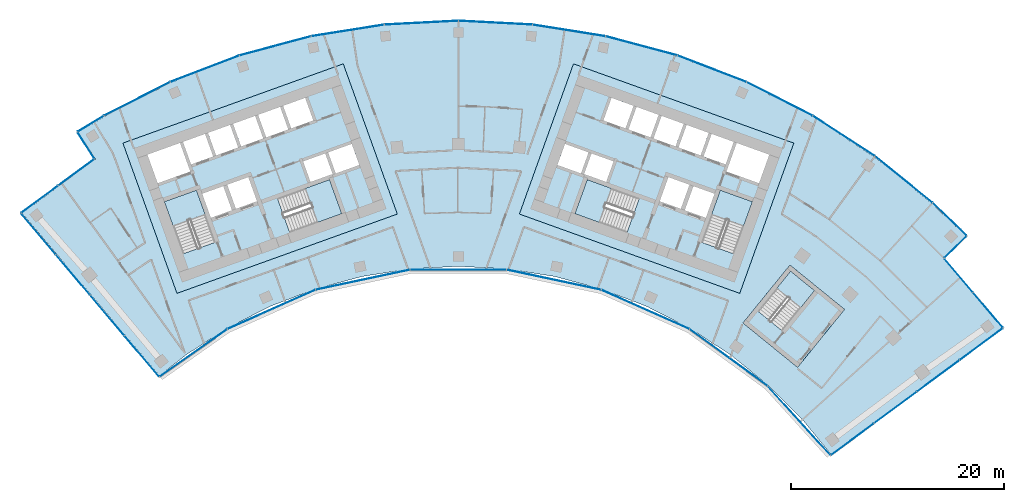
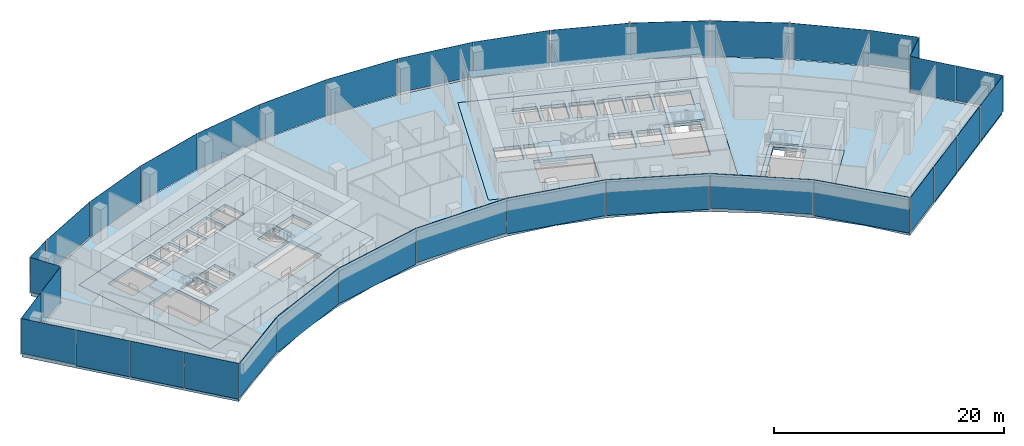
# One storey, part 9 of 16: 36 plates, 9 slabs, 13 elements without a shape of their own.
"""IFC4 building model written with IfcOpenShell, lengths in metres."""

from ifc_helpers import new_model, si_unit, direction, frame, origin, origin_2d, place, context, subcontext, project, spatial, polyline, rectangle, outline, extrude, material, layer, layer_set, type_object, element, aggregate, save


model = new_model("IFC4")

# Units and contexts
model_context = context("Model", 3, precision=1e-05, world=origin(), true_north=direction((0.0, 1.0)))
body_context = subcontext(model_context, "Body", "Model", "MODEL_VIEW")
ifc_project = project(units=[si_unit("LENGTHUNIT", "METRE"), si_unit("AREAUNIT", "SQUARE_METRE"), si_unit("VOLUMEUNIT", "CUBIC_METRE"), si_unit("PLANEANGLEUNIT", "RADIAN"), si_unit("MASSUNIT", "GRAM", prefix="KILO")], contexts=[model_context])

# Site, building, storey
site_placement = place(None, origin())
site = spatial("IfcSite", under=ifc_project, at=site_placement, CompositionType="ELEMENT")
building_placement = place(site_placement, origin())
building = spatial("IfcBuilding", under=site, at=building_placement, Name="Stone Belt Terrace Tower", CompositionType="ELEMENT")
storey_placement = place(building_placement, frame((0.0, 0.0, 242.800048828125)))
storey = spatial("IfcBuildingStorey", under=building, at=storey_placement, Name="L59", CompositionType="ELEMENT", Elevation=242.800048828125)

# Curtain wall, plates
ifc_material_1 = material(Name="Aluminium 6063-T6 anodised frame", Category="aluminium")
ifc_layer_1 = layer(ifc_material_1, 0.14990234375)
ifc_layer_set_1 = layer_set([ifc_layer_1], Name="CW-A unitised convex-face curtain wall")
curtain_wall_type_1 = type_object("IfcCurtainWallType", Name="CW-A unitised convex-face curtain wall", PredefinedType="NOTDEFINED", material=ifc_layer_set_1)
curtain_wall_1_placement = place(storey_placement, origin())
curtain_wall_1 = element("IfcCurtainWall", 1, at=curtain_wall_1_placement, inside=storey, type_object=curtain_wall_type_1, Name="CW-A convex face L59", PredefinedType="NOTDEFINED")
ifc_material_2 = material(Name="Clear double glazed unit")
ifc_layer_2 = layer(ifc_material_2, 0.031982421875)
ifc_layer_set_2 = layer_set([ifc_layer_2], Name="CW-A glass panel 32")
plate_type_1 = type_object("IfcPlateType", Name="CW-A glass panel 32", PredefinedType="CURTAIN_PANEL", material=ifc_layer_set_2)
plate_1_placement = place(storey_placement, frame((46.14599609375, 47.936767578125, 0.14013671875), z_axis=(0.0, 0.0, 1.0), x_axis=(-0.720604393579, 0.693346455933, 0.0)))
plate_1 = element("IfcPlate", 2, at=plate_1_placement, type_object=plate_type_1, Name="CW-A panel 1.1", PredefinedType="CURTAIN_PANEL", context=body_context, shape_type="SweptSolid", body=[
    extrude(rectangle(XDim=4.372314453125, YDim=0.031982421875, at=origin_2d()), origin(), (0.0, 0.0, 1.0), 3.659912109375),
])
plate_2_placement = place(storey_placement, frame((41.839599609375, 51.667724609375, 0.0), z_axis=(0.0, 0.0, 1.0), x_axis=(-0.777145961457, 0.62932039105, 0.0)))
plate_2 = element("IfcPlate", 3, at=plate_2_placement, type_object=plate_type_1, Name="CW-A panel 2.1", PredefinedType="CURTAIN_PANEL", context=body_context, shape_type="SweptSolid", body=[
    extrude(rectangle(XDim=6.90087890625, YDim=0.031982421875, at=origin_2d()), origin(), (0.0, 0.0, 1.0), 3.800048828125),
])
plate_3_placement = place(storey_placement, frame((36.209716796875, 55.758056640625, 0.0), z_axis=(0.0, 0.0, 1.0), x_axis=(-0.838670567945, 0.544639035015, 0.0)))
plate_3 = element("IfcPlate", 4, at=plate_3_placement, type_object=plate_type_1, Name="CW-A panel 3.1", PredefinedType="CURTAIN_PANEL", context=body_context, shape_type="SweptSolid", body=[
    extrude(rectangle(XDim=6.90087890625, YDim=0.031982421875, at=origin_2d()), origin(), (0.0, 0.0, 1.0), 3.800048828125),
])
plate_4_placement = place(storey_placement, frame((30.18310546875, 59.237548828125, 0.0), z_axis=(0.0, 0.0, 1.0), x_axis=(-0.891006524188, 0.45399049974, 0.0)))
plate_4 = element("IfcPlate", 5, at=plate_4_placement, type_object=plate_type_1, Name="CW-A panel 4.1", PredefinedType="CURTAIN_PANEL", context=body_context, shape_type="SweptSolid", body=[
    extrude(rectangle(XDim=6.90087890625, YDim=0.031982421875, at=origin_2d()), origin(), (0.0, 0.0, 1.0), 3.800048828125),
])
plate_5_placement = place(storey_placement, frame((23.82568359375, 62.068115234375, 0.0), z_axis=(0.0, 0.0, 1.0), x_axis=(-0.933580426497, 0.358367949545, 0.0)))
plate_5 = element("IfcPlate", 6, at=plate_5_placement, type_object=plate_type_1, Name="CW-A panel 5.1", PredefinedType="CURTAIN_PANEL", context=body_context, shape_type="SweptSolid", body=[
    extrude(rectangle(XDim=6.90087890625, YDim=0.031982421875, at=origin_2d()), origin(), (0.0, 0.0, 1.0), 3.800048828125),
])
plate_6_placement = place(storey_placement, frame((17.207275390625, 64.218505859375, 0.0), z_axis=(0.0, 0.0, 1.0), x_axis=(-0.965925826289, 0.258819045103, 0.0)))
plate_6 = element("IfcPlate", 7, at=plate_6_placement, type_object=plate_type_1, Name="CW-A panel 6.1", PredefinedType="CURTAIN_PANEL", context=body_context, shape_type="SweptSolid", body=[
    extrude(rectangle(XDim=6.90087890625, YDim=0.031982421875, at=origin_2d()), origin(), (0.0, 0.0, 1.0), 3.800048828125),
])
plate_7_placement = place(storey_placement, frame((10.400390625, 65.665283203125, 0.14013671875), z_axis=(0.0, 0.0, 1.0), x_axis=(-0.987688340595, 0.15643446504, 0.0)))
plate_7 = element("IfcPlate", 8, at=plate_7_placement, type_object=plate_type_1, Name="CW-A panel 7.1", PredefinedType="CURTAIN_PANEL", context=body_context, shape_type="SweptSolid", body=[
    extrude(rectangle(XDim=6.90087890625, YDim=0.031982421875, at=origin_2d()), origin(), (0.0, 0.0, 1.0), 3.659912109375),
])
plate_8_placement = place(storey_placement, frame((3.4794921875, 66.392822265625, 0.0), z_axis=(0.0, 0.0, 1.0), x_axis=(-0.998629534755, 0.052335956243, 0.0)))
plate_8 = element("IfcPlate", 9, at=plate_8_placement, type_object=plate_type_1, Name="CW-A panel 8.1", PredefinedType="CURTAIN_PANEL", context=body_context, shape_type="SweptSolid", body=[
    extrude(rectangle(XDim=6.90087890625, YDim=0.031982421875, at=origin_2d()), origin(), (0.0, 0.0, 1.0), 3.800048828125),
])
plate_9_placement = place(storey_placement, frame((-3.4794921875, 66.392822265625, 0.0), z_axis=(0.0, 0.0, 1.0), x_axis=(-0.998629534755, -0.052335956243, 0.0)))
plate_9 = element("IfcPlate", 10, at=plate_9_placement, type_object=plate_type_1, Name="CW-A panel 9.1", PredefinedType="CURTAIN_PANEL", context=body_context, shape_type="SweptSolid", body=[
    extrude(rectangle(XDim=6.90087890625, YDim=0.031982421875, at=origin_2d()), origin(), (0.0, 0.0, 1.0), 3.800048828125),
])
plate_10_placement = place(storey_placement, frame((-10.400390625, 65.665283203125, 0.0), z_axis=(0.0, 0.0, 1.0), x_axis=(-0.987688340595, -0.15643446504, 0.0)))
plate_10 = element("IfcPlate", 11, at=plate_10_placement, type_object=plate_type_1, Name="CW-A panel 10.1", PredefinedType="CURTAIN_PANEL", context=body_context, shape_type="SweptSolid", body=[
    extrude(rectangle(XDim=6.90087890625, YDim=0.031982421875, at=origin_2d()), origin(), (0.0, 0.0, 1.0), 3.800048828125),
])
plate_11_placement = place(storey_placement, frame((-17.207275390625, 64.218505859375, 0.0), z_axis=(0.0, 0.0, 1.0), x_axis=(-0.965925826289, -0.258819045103, 0.0)))
plate_11 = element("IfcPlate", 12, at=plate_11_placement, type_object=plate_type_1, Name="CW-A panel 11.1", PredefinedType="CURTAIN_PANEL", context=body_context, shape_type="SweptSolid", body=[
    extrude(rectangle(XDim=6.90087890625, YDim=0.031982421875, at=origin_2d()), origin(), (0.0, 0.0, 1.0), 3.800048828125),
])
plate_12_placement = place(storey_placement, frame((-23.82568359375, 62.068115234375, 0.0), z_axis=(0.0, 0.0, 1.0), x_axis=(-0.933580426497, -0.358367949545, 0.0)))
plate_12 = element("IfcPlate", 13, at=plate_12_placement, type_object=plate_type_1, Name="CW-A panel 12.1", PredefinedType="CURTAIN_PANEL", context=body_context, shape_type="SweptSolid", body=[
    extrude(rectangle(XDim=6.90087890625, YDim=0.031982421875, at=origin_2d()), origin(), (0.0, 0.0, 1.0), 3.800048828125),
])
plate_13_placement = place(storey_placement, frame((-30.18310546875, 59.237548828125, 0.14013671875), z_axis=(0.0, 0.0, 1.0), x_axis=(-0.891006524188, -0.45399049974, 0.0)))
plate_13 = element("IfcPlate", 14, at=plate_13_placement, type_object=plate_type_1, Name="CW-A panel 13.1", PredefinedType="CURTAIN_PANEL", context=body_context, shape_type="SweptSolid", body=[
    extrude(rectangle(XDim=6.900634765625, YDim=0.031982421875, at=origin_2d()), origin(), (0.0, 0.0, 1.0), 3.659912109375),
])
plate_14_placement = place(storey_placement, frame((-34.521728515625, 56.907470703125, 0.0), z_axis=(0.0, 0.0, 1.0), x_axis=(-0.855106913292, -0.51845170155, 0.0)))
plate_14 = element("IfcPlate", 15, at=plate_14_placement, type_object=plate_type_1, Name="CW-A panel 14.1", PredefinedType="CURTAIN_PANEL", context=body_context, shape_type="SweptSolid", body=[
    extrude(rectangle(XDim=2.823486328125, YDim=0.031982421875, at=origin_2d()), origin(), (0.0, 0.0, 1.0), 3.800048828125),
])
aggregate(curtain_wall_1, [plate_1, plate_2, plate_3, plate_4, plate_5, plate_6, plate_7, plate_8, plate_9, plate_10, plate_11, plate_12, plate_13, plate_14])

ifc_layer_3 = layer(ifc_material_1, 0.14990234375)
ifc_layer_set_3 = layer_set([ifc_layer_3], Name="CW-B unitised concave-face curtain wall")
curtain_wall_type_2 = type_object("IfcCurtainWallType", Name="CW-B unitised concave-face curtain wall", PredefinedType="NOTDEFINED", material=ifc_layer_set_3)
curtain_wall_2_placement = place(storey_placement, origin())
curtain_wall_2 = element("IfcCurtainWall", 16, at=curtain_wall_2_placement, inside=storey, type_object=curtain_wall_type_2, Name="CW-B concave face L59", PredefinedType="NOTDEFINED")
ifc_layer_4 = layer(ifc_material_2, 0.030029296875)
ifc_layer_set_4 = layer_set([ifc_layer_4], Name="CW-B glass panel 30")
plate_type_2 = type_object("IfcPlateType", Name="CW-B glass panel 30", PredefinedType="CURTAIN_PANEL", material=ifc_layer_set_4)
plate_15_placement = place(storey_placement, frame((-24.8896484375, 35.373291015625, 0.1201171875), z_axis=(0.0, 0.0, 1.0), x_axis=(0.818093414014, 0.575085355357, 0.0)))
plate_15 = element("IfcPlate", 17, at=plate_15_placement, type_object=plate_type_2, Name="CW-B panel 1.1", PredefinedType="CURTAIN_PANEL", context=body_context, shape_type="SweptSolid", body=[
    extrude(rectangle(XDim=7.702392578125, YDim=0.030029296875, at=origin_2d()), origin(), (0.0, 0.0, 1.0), 3.679931640625),
])
plate_16_placement = place(storey_placement, frame((-17.566162109375, 39.452880859375, 0.0), z_axis=(0.0, 0.0, 1.0), x_axis=(0.913545457643, 0.406736643076, 0.0)))
plate_16 = element("IfcPlate", 18, at=plate_16_placement, type_object=plate_type_2, Name="CW-B panel 2.1", PredefinedType="CURTAIN_PANEL", context=body_context, shape_type="SweptSolid", body=[
    extrude(rectangle(XDim=9.013916015625, YDim=0.030029296875, at=origin_2d()), origin(), (0.0, 0.0, 1.0), 3.800048828125),
])
plate_17_placement = place(storey_placement, frame((-8.97900390625, 42.242919921875, 0.0), z_axis=(0.0, 0.0, 1.0), x_axis=(0.978147600734, 0.207911690818, 0.0)))
plate_17 = element("IfcPlate", 19, at=plate_17_placement, type_object=plate_type_2, Name="CW-B panel 3.1", PredefinedType="CURTAIN_PANEL", context=body_context, shape_type="SweptSolid", body=[
    extrude(rectangle(XDim=9.0126953125, YDim=0.030029296875, at=origin_2d()), origin(), (0.0, 0.0, 1.0), 3.800048828125),
])
plate_18_placement = place(storey_placement, frame((0.0, 43.186767578125, 0.1201171875), z_axis=(0.0, 0.0, 1.0), x_axis=(1.0, 0.0, 0.0)))
plate_18 = element("IfcPlate", 20, at=plate_18_placement, type_object=plate_type_2, Name="CW-B panel 4.1", PredefinedType="CURTAIN_PANEL", context=body_context, shape_type="SweptSolid", body=[
    extrude(rectangle(XDim=9.0126953125, YDim=0.030029296875, at=origin_2d()), origin(), (0.0, 0.0, 1.0), 3.679931640625),
])
plate_19_placement = place(storey_placement, frame((8.97900390625, 42.242919921875, 0.0), z_axis=(0.0, 0.0, 1.0), x_axis=(0.978147600734, -0.207911690818, 0.0)))
plate_19 = element("IfcPlate", 21, at=plate_19_placement, type_object=plate_type_2, Name="CW-B panel 5.1", PredefinedType="CURTAIN_PANEL", context=body_context, shape_type="SweptSolid", body=[
    extrude(rectangle(XDim=9.0126953125, YDim=0.030029296875, at=origin_2d()), origin(), (0.0, 0.0, 1.0), 3.800048828125),
])
plate_20_placement = place(storey_placement, frame((17.565673828125, 39.453125, 0.0), z_axis=(0.0, 0.0, 1.0), x_axis=(0.913545457643, -0.406736643076, 0.0)))
plate_20 = element("IfcPlate", 22, at=plate_20_placement, type_object=plate_type_2, Name="CW-B panel 6.1", PredefinedType="CURTAIN_PANEL", context=body_context, shape_type="SweptSolid", body=[
    extrude(rectangle(XDim=9.0126953125, YDim=0.030029296875, at=origin_2d()), origin(), (0.0, 0.0, 1.0), 3.800048828125),
])
plate_21_placement = place(storey_placement, frame((25.384521484375, 34.938720703125, 0.1201171875), z_axis=(0.0, 0.0, 1.0), x_axis=(0.809016994375, -0.587785252292, 0.0)))
plate_21 = element("IfcPlate", 23, at=plate_21_placement, type_object=plate_type_2, Name="CW-B panel 7.1", PredefinedType="CURTAIN_PANEL", context=body_context, shape_type="SweptSolid", body=[
    extrude(rectangle(XDim=9.01318359375, YDim=0.030029296875, at=origin_2d()), origin(), (0.0, 0.0, 1.0), 3.679931640625),
])
plate_22_placement = place(storey_placement, frame((32.00537109375, 29.02197265625, 0.0), z_axis=(0.0, 0.0, 1.0), x_axis=(0.672072775041, -0.740485101166, 0.0)))
plate_22 = element("IfcPlate", 24, at=plate_22_placement, type_object=plate_type_2, Name="CW-B panel 8.1", PredefinedType="CURTAIN_PANEL", context=body_context, shape_type="SweptSolid", body=[
    extrude(rectangle(XDim=8.70947265625, YDim=0.030029296875, at=origin_2d()), origin(), (0.0, 0.0, 1.0), 3.800048828125),
])
aggregate(curtain_wall_2, [plate_15, plate_16, plate_17, plate_18, plate_19, plate_20, plate_21, plate_22])

ifc_layer_5 = layer(ifc_material_1, 0.14990234375)
ifc_layer_set_5 = layer_set([ifc_layer_5], Name="CW-C stick curtain wall, horn ends and notches")
curtain_wall_type_3 = type_object("IfcCurtainWallType", Name="CW-C stick curtain wall, horn ends and notches", PredefinedType="NOTDEFINED", material=ifc_layer_set_5)
curtain_wall_3_placement = place(storey_placement, origin())
curtain_wall_3 = element("IfcCurtainWall", 25, at=curtain_wall_3_placement, inside=storey, type_object=curtain_wall_type_3, Name="CW-C end face L59", PredefinedType="NOTDEFINED")
ifc_layer_6 = layer(ifc_material_2, 0.028076171875)
ifc_layer_set_6 = layer_set([ifc_layer_6], Name="CW-C glass panel 28")
plate_type_3 = type_object("IfcPlateType", Name="CW-C glass panel 28", PredefinedType="CURTAIN_PANEL", material=ifc_layer_set_6)
plate_23_placement = place(storey_placement, frame((37.033447265625, 27.2646484375, 0.1201171875), z_axis=(0.0, 0.0, 1.0), x_axis=(0.804329077539, 0.594184091865, 0.0)))
plate_23 = element("IfcPlate", 26, at=plate_23_placement, type_object=plate_type_3, Name="CW-C panel 1.1", PredefinedType="CURTAIN_PANEL", context=body_context, shape_type="SweptSolid", body=[
    extrude(rectangle(XDim=4.96533203125, YDim=0.028076171875, at=origin_2d()), origin(), (0.0, 0.0, 1.0), 3.679931640625),
])
plate_24_placement = place(storey_placement, frame((41.0654296875, 30.2431640625, 0.0), z_axis=(0.0, 0.0, 1.0), x_axis=(0.804329077539, 0.594184091865, 0.0)))
plate_24 = element("IfcPlate", 27, at=plate_24_placement, type_object=plate_type_3, Name="CW-C panel 2.1", PredefinedType="CURTAIN_PANEL", context=body_context, shape_type="SweptSolid", body=[
    extrude(rectangle(XDim=4.93994140625, YDim=0.028076171875, at=origin_2d()), origin(), (0.0, 0.0, 1.0), 3.800048828125),
])
plate_25_placement = place(storey_placement, frame((45.0869140625, 33.2138671875, 0.0), z_axis=(0.0, 0.0, 1.0), x_axis=(0.804329077539, 0.594184091865, 0.0)))
plate_25 = element("IfcPlate", 28, at=plate_25_placement, type_object=plate_type_3, Name="CW-C panel 3.1", PredefinedType="CURTAIN_PANEL", context=body_context, shape_type="SweptSolid", body=[
    extrude(rectangle(XDim=4.93994140625, YDim=0.028076171875, at=origin_2d()), origin(), (0.0, 0.0, 1.0), 3.800048828125),
])
plate_26_placement = place(storey_placement, frame((49.122802734375, 36.1953125, 0.0), z_axis=(0.0, 0.0, 1.0), x_axis=(0.804329077539, 0.594184091865, 0.0)))
plate_26 = element("IfcPlate", 29, at=plate_26_placement, type_object=plate_type_3, Name="CW-C panel 4.1", PredefinedType="CURTAIN_PANEL", context=body_context, shape_type="SweptSolid", body=[
    extrude(rectangle(XDim=4.974853515625, YDim=0.028076171875, at=origin_2d()), origin(), (0.0, 0.0, 1.0), 3.800048828125),
])
aggregate(curtain_wall_3, [plate_23, plate_24, plate_25, plate_26])

curtain_wall_4_placement = place(storey_placement, origin())
curtain_wall_4 = element("IfcCurtainWall", 30, at=curtain_wall_4_placement, inside=storey, type_object=curtain_wall_type_3, Name="CW-C notch face L59", PredefinedType="NOTDEFINED")
plate_27_placement = place(storey_placement, frame((49.75390625, 39.402587890625, 0.1201171875), z_axis=(0.0, 0.0, 1.0), x_axis=(-0.647210945735, 0.762310954743, 0.0)))
plate_27 = element("IfcPlate", 31, at=plate_27_placement, type_object=plate_type_3, Name="CW-C panel 1.1", PredefinedType="CURTAIN_PANEL", context=body_context, shape_type="SweptSolid", body=[
    extrude(rectangle(XDim=4.268798828125, YDim=0.028076171875, at=origin_2d()), origin(), (0.0, 0.0, 1.0), 3.679931640625),
])
plate_28_placement = place(storey_placement, frame((47.000244140625, 42.645751953125, 0.0), z_axis=(0.0, 0.0, 1.0), x_axis=(-0.647210945735, 0.762310954743, 0.0)))
plate_28 = element("IfcPlate", 32, at=plate_28_placement, type_object=plate_type_3, Name="CW-C panel 2.1", PredefinedType="CURTAIN_PANEL", context=body_context, shape_type="SweptSolid", body=[
    extrude(rectangle(XDim=4.12060546875, YDim=0.028076171875, at=origin_2d()), origin(), (0.0, 0.0, 1.0), 3.800048828125),
])
aggregate(curtain_wall_4, [plate_27, plate_28])

# Curtain wall, plate
curtain_wall_5_placement = place(storey_placement, origin())
curtain_wall_5 = element("IfcCurtainWall", 33, at=curtain_wall_5_placement, inside=storey, type_object=curtain_wall_type_3, Name="CW-C notch face L59", PredefinedType="NOTDEFINED")
plate_29_placement = place(storey_placement, frame((46.69677734375, 45.320068359375, 0.1201171875), z_axis=(0.0, 0.0, 1.0), x_axis=(0.71680345276, 0.697275275707, 0.0)))
plate_29 = element("IfcPlate", 34, at=plate_29_placement, type_object=plate_type_3, Name="CW-C panel 1.1", PredefinedType="CURTAIN_PANEL", context=body_context, shape_type="SweptSolid", body=[
    extrude(rectangle(XDim=2.859619140625, YDim=0.028076171875, at=origin_2d()), origin(), (0.0, 0.0, 1.0), 3.679931640625),
])
aggregate(curtain_wall_5, [plate_29])

curtain_wall_6_placement = place(storey_placement, origin())
curtain_wall_6 = element("IfcCurtainWall", 35, at=curtain_wall_6_placement, inside=storey, type_object=curtain_wall_type_3, Name="CW-C notch face L59", PredefinedType="NOTDEFINED")
plate_30_placement = place(storey_placement, frame((-34.985595703125, 54.86767578125, 0.1201171875), z_axis=(0.0, 0.0, 1.0), x_axis=(0.536665081869, -0.843795348353, 0.0)))
plate_30 = element("IfcPlate", 36, at=plate_30_placement, type_object=plate_type_3, Name="CW-C panel 1.1", PredefinedType="CURTAIN_PANEL", context=body_context, shape_type="SweptSolid", body=[
    extrude(rectangle(XDim=2.85888671875, YDim=0.028076171875, at=origin_2d()), origin(), (0.0, 0.0, 1.0), 3.679931640625),
])
aggregate(curtain_wall_6, [plate_30])

# Curtain wall, plates
curtain_wall_7_placement = place(storey_placement, origin())
curtain_wall_7 = element("IfcCurtainWall", 37, at=curtain_wall_7_placement, inside=storey, type_object=curtain_wall_type_3, Name="CW-C notch face L59", PredefinedType="NOTDEFINED")
plate_31_placement = place(storey_placement, frame((-35.897705078125, 52.3359375, 0.1201171875), z_axis=(0.0, 0.0, 1.0), x_axis=(-0.805576193691, -0.592492190799, 0.0)))
plate_31 = element("IfcPlate", 38, at=plate_31_placement, type_object=plate_type_3, Name="CW-C panel 1.1", PredefinedType="CURTAIN_PANEL", context=body_context, shape_type="SweptSolid", body=[
    extrude(rectangle(XDim=4.12060546875, YDim=0.028076171875, at=origin_2d()), origin(), (0.0, 0.0, 1.0), 3.679931640625),
])
plate_32_placement = place(storey_placement, frame((-39.3251953125, 49.815185546875, 0.0), z_axis=(0.0, 0.0, 1.0), x_axis=(-0.805576193691, -0.592492190799, 0.0)))
plate_32 = element("IfcPlate", 39, at=plate_32_placement, type_object=plate_type_3, Name="CW-C panel 2.1", PredefinedType="CURTAIN_PANEL", context=body_context, shape_type="SweptSolid", body=[
    extrude(rectangle(XDim=4.268798828125, YDim=0.028076171875, at=origin_2d()), origin(), (0.0, 0.0, 1.0), 3.800048828125),
])
aggregate(curtain_wall_7, [plate_31, plate_32])

curtain_wall_8_placement = place(storey_placement, origin())
curtain_wall_8 = element("IfcCurtainWall", 40, at=curtain_wall_8_placement, inside=storey, type_object=curtain_wall_type_3, Name="CW-C end face L59", PredefinedType="NOTDEFINED")
plate_33_placement = place(storey_placement, frame((-39.45068359375, 46.548828125, 0.1201171875), z_axis=(0.0, 0.0, 1.0), x_axis=(0.645607243812, -0.763669618839, 0.0)))
plate_33 = element("IfcPlate", 41, at=plate_33_placement, type_object=plate_type_3, Name="CW-C panel 1.1", PredefinedType="CURTAIN_PANEL", context=body_context, shape_type="SweptSolid", body=[
    extrude(rectangle(XDim=4.974853515625, YDim=0.028076171875, at=origin_2d()), origin(), (0.0, 0.0, 1.0), 3.679931640625),
])
plate_34_placement = place(storey_placement, frame((-36.211181640625, 42.717041015625, 0.0), z_axis=(0.0, 0.0, 1.0), x_axis=(0.645607243812, -0.763669618839, 0.0)))
plate_34 = element("IfcPlate", 42, at=plate_34_placement, type_object=plate_type_3, Name="CW-C panel 2.1", PredefinedType="CURTAIN_PANEL", context=body_context, shape_type="SweptSolid", body=[
    extrude(rectangle(XDim=4.93994140625, YDim=0.028076171875, at=origin_2d()), origin(), (0.0, 0.0, 1.0), 3.800048828125),
])
plate_35_placement = place(storey_placement, frame((-32.983154296875, 38.898681640625, 0.0), z_axis=(0.0, 0.0, 1.0), x_axis=(0.645607243812, -0.763669618839, 0.0)))
plate_35 = element("IfcPlate", 43, at=plate_35_placement, type_object=plate_type_3, Name="CW-C panel 3.1", PredefinedType="CURTAIN_PANEL", context=body_context, shape_type="SweptSolid", body=[
    extrude(rectangle(XDim=4.93994140625, YDim=0.028076171875, at=origin_2d()), origin(), (0.0, 0.0, 1.0), 3.800048828125),
])
plate_36_placement = place(storey_placement, frame((-29.746826171875, 35.070556640625, 0.0), z_axis=(0.0, 0.0, 1.0), x_axis=(0.645607243812, -0.763669618839, 0.0)))
plate_36 = element("IfcPlate", 44, at=plate_36_placement, type_object=plate_type_3, Name="CW-C panel 4.1", PredefinedType="CURTAIN_PANEL", context=body_context, shape_type="SweptSolid", body=[
    extrude(rectangle(XDim=4.9658203125, YDim=0.028076171875, at=origin_2d()), origin(), (0.0, 0.0, 1.0), 3.800048828125),
])
aggregate(curtain_wall_8, [plate_33, plate_34, plate_35, plate_36])

# Slabs
ifc_material_3 = material(Name="Concrete B40", Category="concrete")
ifc_layer_7 = layer(ifc_material_3, 0.320068359375)
ifc_layer_set_7 = layer_set([ifc_layer_7], Name="Core floor slab 320")
slab_type_1 = type_object("IfcSlabType", Name="Core floor slab 320", PredefinedType="FLOOR", material=ifc_layer_set_7)
slab_1_placement = place(storey_placement, frame((0.0, 0.0, -0.320068359375)))
element("IfcSlab", 45, at=slab_1_placement, inside=storey, type_object=slab_type_1, Name="Core A floor L59", PredefinedType="FLOOR", context=body_context, shape_type="SweptSolid", body=[
    extrude(outline(polyline([(-26.43505859375, 40.968994140625), (-5.735107421875, 48.4189453125), (-10.81396484375, 62.531982421875), (-31.513916015625, 55.0830078125), (-26.43505859375, 40.968994140625)]), holes=[polyline([(-24.60791015625, 50.659912109375), (-22.847900390625, 45.76806640625), (-25.85888671875, 44.68408203125), (-27.618896484375, 49.575927734375), (-24.60791015625, 50.659912109375)]), polyline([(-23.25, 48.06689453125), (-24.06298828125, 50.324951171875), (-22.0869140625, 51.035888671875), (-21.27392578125, 48.778076171875), (-23.25, 48.06689453125)]), polyline([(-20.89794921875, 48.9130859375), (-21.7109375, 51.1708984375), (-19.735107421875, 51.883056640625), (-18.922119140625, 49.6240234375), (-20.89794921875, 48.9130859375)]), polyline([(-28.24609375, 51.31689453125), (-29.2109375, 53.9990234375), (-26.153076171875, 55.09912109375), (-25.18798828125, 52.41796875), (-28.24609375, 51.31689453125)]), polyline([(-23.801025390625, 55.946044921875), (-23.0390625, 53.8291015625), (-25.10888671875, 53.083984375), (-25.87109375, 55.200927734375), (-23.801025390625, 55.946044921875)]), polyline([(-21.447998046875, 56.7919921875), (-20.68603515625, 54.675048828125), (-22.756103515625, 53.929931640625), (-23.51806640625, 56.047119140625), (-21.447998046875, 56.7919921875)]), polyline([(-10.955078125, 48.452880859375), (-15.846923828125, 46.69189453125), (-16.998046875, 49.89208984375), (-12.10595703125, 51.652099609375), (-10.955078125, 48.452880859375)]), polyline([(-11.847900390625, 52.116943359375), (-11.864990234375, 52.1640625), (-13.887939453125, 51.43603515625), (-14.58203125, 53.364990234375), (-12.511962890625, 54.110107421875), (-11.801025390625, 52.134033203125), (-11.847900390625, 52.116943359375)]), polyline([(-9.30810546875, 53.031005859375), (-11.51904296875, 52.235107421875), (-12.22998046875, 54.2109375), (-10.01904296875, 55.007080078125), (-9.30810546875, 53.031005859375)]), polyline([(-21.166015625, 56.89404296875), (-19.095947265625, 57.638916015625), (-18.333984375, 55.52197265625), (-20.404052734375, 54.777099609375), (-21.166015625, 56.89404296875)]), polyline([(-16.743896484375, 58.485107421875), (-15.98193359375, 56.367919921875), (-18.052001953125, 55.623046875), (-18.81396484375, 57.739990234375), (-16.743896484375, 58.485107421875)]), polyline([(-14.39111328125, 59.33203125), (-13.6298828125, 57.215087890625), (-15.699951171875, 56.469970703125), (-16.4609375, 58.5869140625), (-14.39111328125, 59.33203125)])]), origin(), (0.0, 0.0, 1.0), 0.320068359375),
])
slab_2_placement = place(storey_placement, frame((0.0, 0.0, -0.320068359375)))
element("IfcSlab", 46, at=slab_2_placement, inside=storey, type_object=slab_type_1, Name="Core B floor L59", PredefinedType="FLOOR", context=body_context, shape_type="SweptSolid", body=[
    extrude(outline(polyline([(26.43505859375, 40.968994140625), (31.513916015625, 55.0830078125), (10.81396484375, 62.531982421875), (5.735107421875, 48.4189453125), (26.43505859375, 40.968994140625)]), holes=[polyline([(12.10595703125, 51.652099609375), (16.998046875, 49.89208984375), (15.846923828125, 46.69189453125), (10.955078125, 48.452880859375), (12.10595703125, 51.652099609375)]), polyline([(12.511962890625, 54.110107421875), (14.58203125, 53.364990234375), (13.887939453125, 51.43603515625), (11.864990234375, 52.1640625), (11.847900390625, 52.116943359375), (11.801025390625, 52.134033203125), (12.511962890625, 54.110107421875)]), polyline([(9.30810546875, 53.031005859375), (10.01904296875, 55.007080078125), (12.22998046875, 54.2109375), (11.51904296875, 52.235107421875), (9.30810546875, 53.031005859375)]), polyline([(18.333984375, 55.52197265625), (19.095947265625, 57.638916015625), (21.166015625, 56.89404296875), (20.404052734375, 54.777099609375), (18.333984375, 55.52197265625)]), polyline([(16.743896484375, 58.485107421875), (18.81396484375, 57.739990234375), (18.052001953125, 55.623046875), (15.98193359375, 56.367919921875), (16.743896484375, 58.485107421875)]), polyline([(14.39111328125, 59.33203125), (16.4609375, 58.5869140625), (15.699951171875, 56.469970703125), (13.6298828125, 57.215087890625), (14.39111328125, 59.33203125)]), polyline([(27.618896484375, 49.575927734375), (25.85888671875, 44.68408203125), (22.847900390625, 45.76806640625), (24.60791015625, 50.659912109375), (27.618896484375, 49.575927734375)]), polyline([(23.25, 48.06689453125), (21.27392578125, 48.778076171875), (22.0869140625, 51.035888671875), (24.06298828125, 50.324951171875), (23.25, 48.06689453125)]), polyline([(20.89794921875, 48.9130859375), (18.922119140625, 49.6240234375), (19.735107421875, 51.883056640625), (21.7109375, 51.1708984375), (20.89794921875, 48.9130859375)]), polyline([(26.153076171875, 55.09912109375), (29.2109375, 53.9990234375), (28.24609375, 51.31689453125), (25.18798828125, 52.41796875), (26.153076171875, 55.09912109375)]), polyline([(23.801025390625, 55.946044921875), (25.87109375, 55.200927734375), (25.10888671875, 53.083984375), (23.0390625, 53.8291015625), (23.801025390625, 55.946044921875)]), polyline([(21.447998046875, 56.7919921875), (23.51806640625, 56.047119140625), (22.756103515625, 53.929931640625), (20.68603515625, 54.675048828125), (21.447998046875, 56.7919921875)])]), origin(), (0.0, 0.0, 1.0), 0.320068359375),
])
slab_3_placement = place(storey_placement, frame((0.0, 0.0, -0.320068359375)))
element("IfcSlab", 47, at=slab_3_placement, inside=storey, type_object=slab_type_1, Name="Exit stair ST3B floor L59", PredefinedType="FLOOR", context=body_context, shape_type="SweptSolid", body=[
    extrude(outline(polyline([(26.741943359375, 38.18408203125), (31.866943359375, 34.02392578125), (36.278076171875, 39.458984375), (31.154052734375, 43.618896484375), (26.741943359375, 38.18408203125)]), holes=[polyline([(30.407958984375, 37.462890625), (28.156005859375, 39.291015625), (31.2119140625, 43.055908203125), (33.464111328125, 41.22802734375), (30.407958984375, 37.462890625)])]), origin(), (0.0, 0.0, 1.0), 0.320068359375),
])
ifc_layer_8 = layer(ifc_material_3, 0.320068359375)
ifc_layer_set_8 = layer_set([ifc_layer_8], Name="Floor slab 320 B40")
slab_type_2 = type_object("IfcSlabType", Name="Floor slab 320 B40", PredefinedType="FLOOR", material=ifc_layer_set_8)
slab_4_placement = place(storey_placement, frame((0.0, 0.0, -0.320068359375)))
element("IfcSlab", 48, at=slab_4_placement, inside=storey, type_object=slab_type_2, Name="Floor slab L59", PredefinedType="FLOOR", context=body_context, shape_type="SweptSolid", body=[
    extrude(outline(polyline([(-35.688232421875, 56.1123046875), (-33.25, 57.5908203125), (-27.048095703125, 60.750732421875), (-20.549560546875, 63.245361328125), (-13.826171875, 65.046875), (-6.951171875, 66.1357421875), (0.0, 66.5), (6.951171875, 66.1357421875), (13.826171875, 65.046875), (20.549560546875, 63.245361328125), (27.048095703125, 60.750732421875), (33.25, 57.5908203125), (39.087646484375, 53.799560546875), (44.497314453125, 49.419189453125), (47.66748046875, 46.368896484375), (45.51708984375, 44.277099609375), (51.074951171875, 37.730712890625), (34.98828125, 25.846923828125), (32.326904296875, 29.107177734375), (29.107177734375, 32.326904296875), (25.568603515625, 35.192138671875), (21.75, 37.672119140625), (17.693115234375, 39.7392578125), (13.442138671875, 41.37109375), (9.044189453125, 42.54931640625), (4.547119140625, 43.26171875), (0.0, 43.5), (-4.547119140625, 43.26171875), (-9.044189453125, 42.54931640625), (-13.442138671875, 41.37109375), (-17.693115234375, 39.7392578125), (-21.75, 37.672119140625), (-25.568603515625, 35.192138671875), (-28.083984375, 33.219482421875), (-40.99609375, 48.492919921875), (-34.078125, 53.5810546875), (-35.688232421875, 56.1123046875)]), holes=[polyline([(-31.51416015625, 55.082763671875), (-26.434814453125, 40.968994140625), (-5.734619140625, 48.418701171875), (-10.81396484375, 62.532470703125), (-31.51416015625, 55.082763671875)]), polyline([(31.51416015625, 55.082763671875), (10.81396484375, 62.532470703125), (5.734619140625, 48.418701171875), (26.434814453125, 40.968994140625), (31.51416015625, 55.082763671875)]), polyline([(36.2783203125, 39.459228515625), (31.15380859375, 43.61865234375), (26.742431640625, 38.18359375), (31.86669921875, 34.024169921875), (36.2783203125, 39.459228515625)])]), origin(), (0.0, 0.0, 1.0), 0.320068359375),
])

# Stair, slab
stair_type = type_object("IfcStairType", Name="Exit stair 1500", PredefinedType="HALF_TURN_STAIR", material=ifc_material_3)
stair_1_placement = place(storey_placement, origin())
stair_1 = element("IfcStair", 49, at=stair_1_placement, inside=storey, type_object=stair_type, Name="L59 Exit stair 1 core A", PredefinedType="HALF_TURN_STAIR")
ifc_layer_9 = layer(ifc_material_3, 0.199951171875)
ifc_layer_set_9 = layer_set([ifc_layer_9], Name="Stair landing 200")
slab_type_3 = type_object("IfcSlabType", Name="Stair landing 200", PredefinedType="LANDING", material=ifc_layer_set_9)
slab_5_placement = place(storey_placement, frame((0.0, 0.0, 1.699951171875)))
slab_5 = element("IfcSlab", 50, at=slab_5_placement, type_object=slab_type_3, Name="ST1A landing 1", PredefinedType="LANDING", context=body_context, shape_type="SweptSolid", body=[
    extrude(outline(polyline([(-23.79541015625, 48.40087890625), (-24.6083984375, 50.659912109375), (-27.619384765625, 49.576171875), (-26.806396484375, 47.3173828125), (-23.79541015625, 48.40087890625)])), origin(), (0.0, 0.0, 1.0), 0.199951171875),
])
aggregate(stair_1, [slab_5])

stair_2_placement = place(storey_placement, origin())
stair_2 = element("IfcStair", 51, at=stair_2_placement, inside=storey, type_object=stair_type, Name="L59 Exit stair 2 core A", PredefinedType="HALF_TURN_STAIR")
slab_6_placement = place(storey_placement, frame((0.0, 0.0, 1.699951171875)))
slab_6 = element("IfcSlab", 52, at=slab_6_placement, type_object=slab_type_3, Name="ST2A landing 1", PredefinedType="LANDING", context=body_context, shape_type="SweptSolid", body=[
    extrude(outline(polyline([(-13.213623046875, 47.64013671875), (-10.95458984375, 48.453125), (-12.10595703125, 51.652099609375), (-14.36474609375, 50.839111328125), (-13.213623046875, 47.64013671875)])), origin(), (0.0, 0.0, 1.0), 0.199951171875),
])
aggregate(stair_2, [slab_6])

stair_3_placement = place(storey_placement, origin())
stair_3 = element("IfcStair", 53, at=stair_3_placement, inside=storey, type_object=stair_type, Name="L59 Exit stair 1 core B", PredefinedType="HALF_TURN_STAIR")
slab_7_placement = place(storey_placement, frame((0.0, 0.0, 1.699951171875)))
slab_7 = element("IfcSlab", 54, at=slab_7_placement, type_object=slab_type_3, Name="ST1B landing 1", PredefinedType="LANDING", context=body_context, shape_type="SweptSolid", body=[
    extrude(outline(polyline([(26.806396484375, 47.3173828125), (27.619384765625, 49.576171875), (24.6083984375, 50.659912109375), (23.79541015625, 48.40087890625), (26.806396484375, 47.3173828125)])), origin(), (0.0, 0.0, 1.0), 0.199951171875),
])
aggregate(stair_3, [slab_7])

stair_4_placement = place(storey_placement, origin())
stair_4 = element("IfcStair", 55, at=stair_4_placement, inside=storey, type_object=stair_type, Name="L59 Exit stair 2 core B", PredefinedType="HALF_TURN_STAIR")
slab_8_placement = place(storey_placement, frame((0.0, 0.0, 1.699951171875)))
slab_8 = element("IfcSlab", 56, at=slab_8_placement, type_object=slab_type_3, Name="ST2B landing 1", PredefinedType="LANDING", context=body_context, shape_type="SweptSolid", body=[
    extrude(outline(polyline([(14.36474609375, 50.839111328125), (12.10595703125, 51.652099609375), (10.95458984375, 48.453125), (13.213623046875, 47.64013671875), (14.36474609375, 50.839111328125)])), origin(), (0.0, 0.0, 1.0), 0.199951171875),
])
aggregate(stair_4, [slab_8])

stair_5_placement = place(storey_placement, origin())
stair_5 = element("IfcStair", 57, at=stair_5_placement, inside=storey, type_object=stair_type, Name="L59 Exit stair 3B", PredefinedType="HALF_TURN_STAIR")
slab_9_placement = place(storey_placement, frame((0.0, 0.0, 1.699951171875)))
slab_9 = element("IfcSlab", 58, at=slab_9_placement, type_object=slab_type_3, Name="ST3B landing 1", PredefinedType="LANDING", context=body_context, shape_type="SweptSolid", body=[
    extrude(outline(polyline([(32.17138671875, 39.635986328125), (33.4638671875, 41.228271484375), (31.21240234375, 43.055908203125), (29.919921875, 41.463623046875), (32.17138671875, 39.635986328125)])), origin(), (0.0, 0.0, 1.0), 0.199951171875),
])
aggregate(stair_5, [slab_9])

save(model, "model.ifc")
